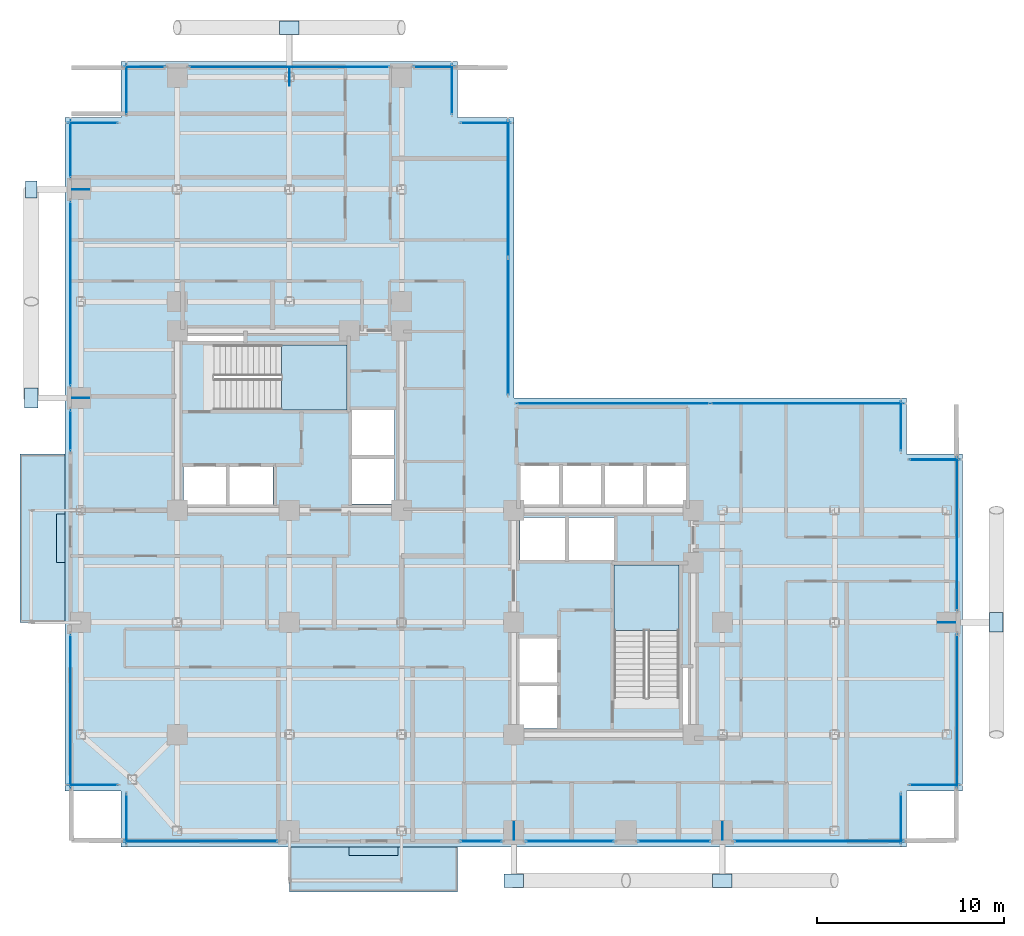
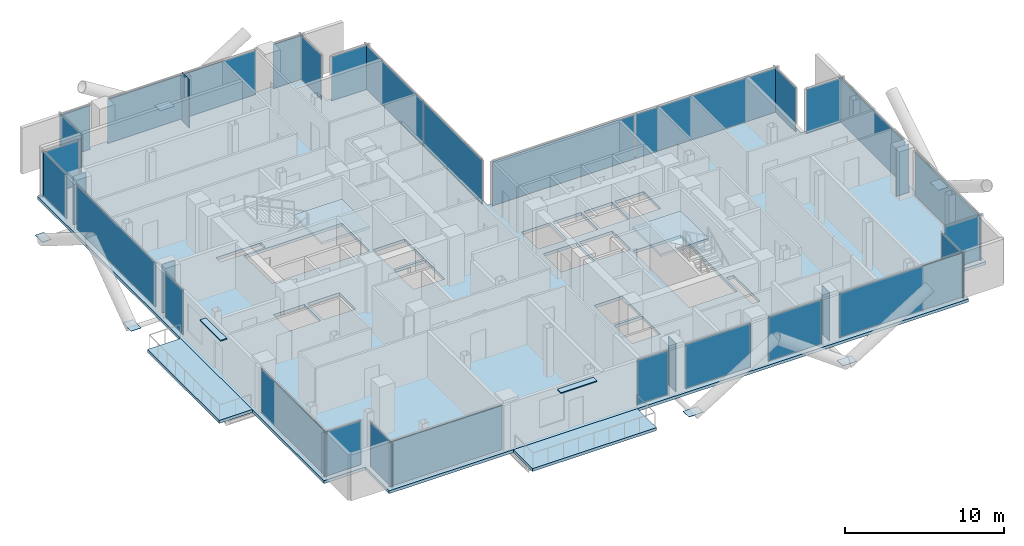
# One storey, part 17 of 24: 42 plates, 5 slabs, 28 elements without a shape of their own.
"""IFC4 building model written with IfcOpenShell, lengths in metres."""

from ifc_helpers import new_model, si_unit, direction, frame, origin, origin_2d, place, context, subcontext, project, spatial, polyline, rectangle, outline, extrude, material, layer, layer_set, type_object, element, aggregate, save


model = new_model("IFC4")

# Units and contexts
model_context = context("Model", 3, precision=1e-05, world=origin(), true_north=direction((0.0, 1.0)))
body_context = subcontext(model_context, "Body", "Model", "MODEL_VIEW")
ifc_project = project(units=[si_unit("LENGTHUNIT", "METRE"), si_unit("AREAUNIT", "SQUARE_METRE"), si_unit("VOLUMEUNIT", "CUBIC_METRE"), si_unit("PLANEANGLEUNIT", "RADIAN"), si_unit("MASSUNIT", "GRAM", prefix="KILO"), si_unit("THERMODYNAMICTEMPERATUREUNIT", "KELVIN"), si_unit("POWERUNIT", "WATT")], contexts=[model_context])

# Site, building, storey
site_placement = place(None, origin())
site = spatial("IfcSite", under=ifc_project, at=site_placement, CompositionType="ELEMENT")
building_placement = place(site_placement, origin())
building = spatial("IfcBuilding", under=site, at=building_placement, Name="Svarakhadi Broadcast Tower", CompositionType="ELEMENT")
storey_placement = place(building_placement, frame((0.0, 0.0, 130.64990234375)))
storey = spatial("IfcBuildingStorey", under=building, at=storey_placement, Name="L31", CompositionType="ELEMENT", Elevation=130.64990234375)

# Curtain wall, plate
ifc_material_1 = material(Name="Anodised Bronze Aluminium AA 6063-T6", Category="aluminium")
ifc_layer_1 = layer(ifc_material_1, 0.199951171875)
ifc_layer_set_1 = layer_set([ifc_layer_1], Name="Anodised Bronze Aluminium AA 6063-T6")
curtain_wall_type = type_object("IfcCurtainWallType", Name="CW_Sys_03", PredefinedType="NOTDEFINED", material=ifc_layer_set_1)
curtain_wall_1_placement = place(storey_placement, origin())
curtain_wall_1 = element("IfcCurtainWall", 1, at=curtain_wall_1_placement, inside=storey, type_object=curtain_wall_type, Name="L31 Unitised Facade Curtain Wall 01", PredefinedType="NOTDEFINED")
ifc_material_2 = material(Name="Double Low-E Laminated Acoustic Glass IGU 36 mm", Category="glass")
ifc_layer_2 = layer(ifc_material_2, 0.035888671875)
ifc_layer_set_2 = layer_set([ifc_layer_2], Name="Double Low-E Laminated Acoustic Glass IGU 36 mm")
plate_type_1 = type_object("IfcPlateType", Name="CW_Sys_03_Pnl", PredefinedType="CURTAIN_PANEL", material=ifc_layer_set_2)
plate_1_placement = place(storey_placement, frame((1.5, 3.300048828125, 0.0703125), z_axis=(0.0, 0.0, 1.0), x_axis=(-1.0, 0.0, 0.0)))
plate_1 = element("IfcPlate", 2, at=plate_1_placement, type_object=plate_type_1, Name="CW-03 panel 1.1", PredefinedType="CURTAIN_PANEL", context=body_context, shape_type="SweptSolid", body=[
    extrude(rectangle(XDim=2.669921875, YDim=0.035888671875, at=origin_2d()), origin(), (0.0, 0.0, 1.0), 3.385009765625),
])
aggregate(curtain_wall_1, [plate_1])

curtain_wall_2_placement = place(storey_placement, origin())
curtain_wall_2 = element("IfcCurtainWall", 3, at=curtain_wall_2_placement, inside=storey, type_object=curtain_wall_type, Name="L31 West Curtain Wall 02", PredefinedType="NOTDEFINED")
plate_2_placement = place(storey_placement, frame((0.300048828125, 7.260009765625, 0.0703125), z_axis=(0.0, 0.0, 1.0), x_axis=(0.0, 1.0, 0.0)))
plate_2 = element("IfcPlate", 4, at=plate_2_placement, type_object=plate_type_1, Name="CW-03 panel 1.1", PredefinedType="CURTAIN_PANEL", context=body_context, shape_type="SweptSolid", body=[
    extrude(rectangle(XDim=8.18994140625, YDim=0.035888671875, at=origin_2d()), origin(), (0.0, 0.0, 1.0), 3.385009765625),
])
aggregate(curtain_wall_2, [plate_2])

curtain_wall_3_placement = place(storey_placement, origin())
curtain_wall_3 = element("IfcCurtainWall", 5, at=curtain_wall_3_placement, inside=storey, type_object=curtain_wall_type, Name="L31 West Curtain Wall 03 Bay 1", PredefinedType="NOTDEFINED")
plate_3_placement = place(storey_placement, frame((0.300048828125, 22.260009765625, 0.0703125), z_axis=(0.0, 0.0, 1.0), x_axis=(0.0, 1.0, 0.0)))
plate_3 = element("IfcPlate", 6, at=plate_3_placement, type_object=plate_type_1, Name="CW-03 panel 1.1", PredefinedType="CURTAIN_PANEL", context=body_context, shape_type="SweptSolid", body=[
    extrude(rectangle(XDim=2.18994140625, YDim=0.035888671875, at=origin_2d()), origin(), (0.0, 0.0, 1.0), 3.385009765625),
])
aggregate(curtain_wall_3, [plate_3])

curtain_wall_4_placement = place(storey_placement, origin())
curtain_wall_4 = element("IfcCurtainWall", 7, at=curtain_wall_4_placement, inside=storey, type_object=curtain_wall_type, Name="L31 West Curtain Wall 03 Bay 2", PredefinedType="NOTDEFINED")
plate_4_placement = place(storey_placement, frame((0.300048828125, 29.574951171875, 0.0703125), z_axis=(0.0, 0.0, 1.0), x_axis=(0.0, 1.0, 0.0)))
plate_4 = element("IfcPlate", 8, at=plate_4_placement, type_object=plate_type_1, Name="CW-03 panel 1.1", PredefinedType="CURTAIN_PANEL", context=body_context, shape_type="SweptSolid", body=[
    extrude(rectangle(XDim=9.860107421875, YDim=0.035888671875, at=origin_2d()), origin(), (0.0, 0.0, 1.0), 3.385009765625),
])
aggregate(curtain_wall_4, [plate_4])

curtain_wall_5_placement = place(storey_placement, origin())
curtain_wall_5 = element("IfcCurtainWall", 9, at=curtain_wall_5_placement, inside=storey, type_object=curtain_wall_type, Name="L31 West Curtain Wall 03 Bay 3", PredefinedType="NOTDEFINED")
plate_5_placement = place(storey_placement, frame((0.300048828125, 37.31494140625, 0.0703125), z_axis=(0.0, 0.0, 1.0), x_axis=(0.0, 1.0, 0.0)))
plate_5 = element("IfcPlate", 10, at=plate_5_placement, type_object=plate_type_1, Name="CW-03 panel 1.1", PredefinedType="CURTAIN_PANEL", context=body_context, shape_type="SweptSolid", body=[
    extrude(rectangle(XDim=3.0400390625, YDim=0.035888671875, at=origin_2d()), origin(), (0.0, 0.0, 1.0), 3.385009765625),
])
aggregate(curtain_wall_5, [plate_5])

curtain_wall_6_placement = place(storey_placement, origin())
curtain_wall_6 = element("IfcCurtainWall", 11, at=curtain_wall_6_placement, inside=storey, type_object=curtain_wall_type, Name="L31 Unitised Facade Curtain Wall 04", PredefinedType="NOTDEFINED")
plate_6_placement = place(storey_placement, frame((1.5, 38.699951171875, 0.0703125), z_axis=(0.0, 0.0, 1.0), x_axis=(1.0, 0.0, 0.0)))
plate_6 = element("IfcPlate", 12, at=plate_6_placement, type_object=plate_type_1, Name="CW-03 panel 1.1", PredefinedType="CURTAIN_PANEL", context=body_context, shape_type="SweptSolid", body=[
    extrude(rectangle(XDim=2.669921875, YDim=0.035888671875, at=origin_2d()), origin(), (0.0, 0.0, 1.0), 3.385009765625),
])
aggregate(curtain_wall_6, [plate_6])

curtain_wall_7_placement = place(storey_placement, origin())
curtain_wall_7 = element("IfcCurtainWall", 13, at=curtain_wall_7_placement, inside=storey, type_object=curtain_wall_type, Name="L31 Unitised Facade Curtain Wall 05", PredefinedType="NOTDEFINED")
plate_7_placement = place(storey_placement, frame((3.300048828125, 40.5, 0.0703125), z_axis=(0.0, 0.0, 1.0), x_axis=(0.0, 1.0, 0.0)))
plate_7 = element("IfcPlate", 14, at=plate_7_placement, type_object=plate_type_1, Name="CW-03 panel 1.1", PredefinedType="CURTAIN_PANEL", context=body_context, shape_type="SweptSolid", body=[
    extrude(rectangle(XDim=2.669921875, YDim=0.035888671875, at=origin_2d()), origin(), (0.0, 0.0, 1.0), 3.385009765625),
])
aggregate(curtain_wall_7, [plate_7])

curtain_wall_8_placement = place(storey_placement, origin())
curtain_wall_8 = element("IfcCurtainWall", 15, at=curtain_wall_8_placement, inside=storey, type_object=curtain_wall_type, Name="L31 Unitised Facade Curtain Wall 06 Bay 1", PredefinedType="NOTDEFINED")
plate_8_placement = place(storey_placement, frame((4.260009765625, 41.699951171875, 0.0703125), z_axis=(0.0, 0.0, 1.0), x_axis=(1.0, 0.0, 0.0)))
plate_8 = element("IfcPlate", 16, at=plate_8_placement, type_object=plate_type_1, Name="CW-03 panel 1.1", PredefinedType="CURTAIN_PANEL", context=body_context, shape_type="SweptSolid", body=[
    extrude(rectangle(XDim=2.18994140625, YDim=0.035888671875, at=origin_2d()), origin(), (0.0, 0.0, 1.0), 3.385009765625),
])
aggregate(curtain_wall_8, [plate_8])

curtain_wall_9_placement = place(storey_placement, origin())
curtain_wall_9 = element("IfcCurtainWall", 17, at=curtain_wall_9_placement, inside=storey, type_object=curtain_wall_type, Name="L31 Unitised Facade Curtain Wall 06 Bay 2", PredefinedType="NOTDEFINED")
plate_9_placement = place(storey_placement, frame((12.0, 41.699951171875, 0.0703125), z_axis=(0.0, 0.0, 1.0), x_axis=(1.0, 0.0, 0.0)))
plate_9 = element("IfcPlate", 18, at=plate_9_placement, type_object=plate_type_1, Name="CW-03 panel 1.1", PredefinedType="CURTAIN_PANEL", context=body_context, shape_type="SweptSolid", body=[
    extrude(rectangle(XDim=10.7099609375, YDim=0.035888671875, at=origin_2d()), origin(), (0.0, 0.0, 1.0), 3.385009765625),
])
aggregate(curtain_wall_9, [plate_9])

curtain_wall_10_placement = place(storey_placement, origin())
curtain_wall_10 = element("IfcCurtainWall", 19, at=curtain_wall_10_placement, inside=storey, type_object=curtain_wall_type, Name="L31 Unitised Facade Curtain Wall 06 Bay 3", PredefinedType="NOTDEFINED")
plate_10_placement = place(storey_placement, frame((19.739990234375, 41.699951171875, 0.0703125), z_axis=(0.0, 0.0, 1.0), x_axis=(1.0, 0.0, 0.0)))
plate_10 = element("IfcPlate", 20, at=plate_10_placement, type_object=plate_type_1, Name="CW-03 panel 1.1", PredefinedType="CURTAIN_PANEL", context=body_context, shape_type="SweptSolid", body=[
    extrude(rectangle(XDim=2.18994140625, YDim=0.035888671875, at=origin_2d()), origin(), (0.0, 0.0, 1.0), 3.385009765625),
])
aggregate(curtain_wall_10, [plate_10])

curtain_wall_11_placement = place(storey_placement, origin())
curtain_wall_11 = element("IfcCurtainWall", 21, at=curtain_wall_11_placement, inside=storey, type_object=curtain_wall_type, Name="L31 Unitised Facade Curtain Wall 07", PredefinedType="NOTDEFINED")
plate_11_placement = place(storey_placement, frame((20.699951171875, 40.5, 0.0703125), z_axis=(0.0, 0.0, 1.0), x_axis=(0.0, -1.0, 0.0)))
plate_11 = element("IfcPlate", 22, at=plate_11_placement, type_object=plate_type_1, Name="CW-03 panel 1.1", PredefinedType="CURTAIN_PANEL", context=body_context, shape_type="SweptSolid", body=[
    extrude(rectangle(XDim=2.669921875, YDim=0.035888671875, at=origin_2d()), origin(), (0.0, 0.0, 1.0), 3.385009765625),
])
aggregate(curtain_wall_11, [plate_11])

curtain_wall_12_placement = place(storey_placement, origin())
curtain_wall_12 = element("IfcCurtainWall", 23, at=curtain_wall_12_placement, inside=storey, type_object=curtain_wall_type, Name="L31 Unitised Facade Curtain Wall 08", PredefinedType="NOTDEFINED")
plate_12_placement = place(storey_placement, frame((22.5, 38.699951171875, 0.0703125), z_axis=(0.0, 0.0, 1.0), x_axis=(1.0, 0.0, 0.0)))
plate_12 = element("IfcPlate", 24, at=plate_12_placement, type_object=plate_type_1, Name="CW-03 panel 1.1", PredefinedType="CURTAIN_PANEL", context=body_context, shape_type="SweptSolid", body=[
    extrude(rectangle(XDim=2.669921875, YDim=0.035888671875, at=origin_2d()), origin(), (0.0, 0.0, 1.0), 3.385009765625),
])
aggregate(curtain_wall_12, [plate_12])

# Curtain wall, plates
curtain_wall_13_placement = place(storey_placement, origin())
curtain_wall_13 = element("IfcCurtainWall", 25, at=curtain_wall_13_placement, inside=storey, type_object=curtain_wall_type, Name="L31 Unitised Facade Curtain Wall 09", PredefinedType="NOTDEFINED")
plate_13_placement = place(storey_placement, frame((23.699951171875, 35.186279296875, 0.0703125), z_axis=(0.0, 0.0, 1.0), x_axis=(0.0, -1.0, 0.0)))
plate_13 = element("IfcPlate", 26, at=plate_13_placement, type_object=plate_type_1, Name="CW-03 panel 1.1", PredefinedType="CURTAIN_PANEL", context=body_context, shape_type="SweptSolid", body=[
    extrude(rectangle(XDim=7.297607421875, YDim=0.035888671875, at=origin_2d()), origin(), (0.0, 0.0, 1.0), 3.385009765625),
])
plate_14_placement = place(storey_placement, frame((23.699951171875, 27.813720703125, 0.0703125), z_axis=(0.0, 0.0, 1.0), x_axis=(0.0, -1.0, 0.0)))
plate_14 = element("IfcPlate", 27, at=plate_14_placement, type_object=plate_type_1, Name="CW-03 panel 2.1", PredefinedType="CURTAIN_PANEL", context=body_context, shape_type="SweptSolid", body=[
    extrude(rectangle(XDim=7.297607421875, YDim=0.035888671875, at=origin_2d()), origin(), (0.0, 0.0, 1.0), 3.385009765625),
])
aggregate(curtain_wall_13, [plate_13, plate_14])

curtain_wall_14_placement = place(storey_placement, origin())
curtain_wall_14 = element("IfcCurtainWall", 28, at=curtain_wall_14_placement, inside=storey, type_object=curtain_wall_type, Name="L31 Unitised Facade Curtain Wall 10", PredefinedType="NOTDEFINED")
plate_15_placement = place(storey_placement, frame((29.313720703125, 23.699951171875, 0.0703125), z_axis=(0.0, 0.0, 1.0), x_axis=(1.0, 0.0, 0.0)))
plate_15 = element("IfcPlate", 29, at=plate_15_placement, type_object=plate_type_1, Name="CW-03 panel 1.1", PredefinedType="CURTAIN_PANEL", context=body_context, shape_type="SweptSolid", body=[
    extrude(rectangle(XDim=10.297607421875, YDim=0.035888671875, at=origin_2d()), origin(), (0.0, 0.0, 1.0), 3.385009765625),
])
plate_16_placement = place(storey_placement, frame((39.686279296875, 23.699951171875, 0.0703125), z_axis=(0.0, 0.0, 1.0), x_axis=(1.0, 0.0, 0.0)))
plate_16 = element("IfcPlate", 30, at=plate_16_placement, type_object=plate_type_1, Name="CW-03 panel 2.1", PredefinedType="CURTAIN_PANEL", context=body_context, shape_type="SweptSolid", body=[
    extrude(rectangle(XDim=10.297607421875, YDim=0.035888671875, at=origin_2d()), origin(), (0.0, 0.0, 1.0), 3.385009765625),
])
aggregate(curtain_wall_14, [plate_15, plate_16])

# Curtain wall, plate
curtain_wall_15_placement = place(storey_placement, origin())
curtain_wall_15 = element("IfcCurtainWall", 31, at=curtain_wall_15_placement, inside=storey, type_object=curtain_wall_type, Name="L31 Unitised Facade Curtain Wall 11", PredefinedType="NOTDEFINED")
plate_17_placement = place(storey_placement, frame((44.699951171875, 22.5, 0.0703125), z_axis=(0.0, 0.0, 1.0), x_axis=(0.0, -1.0, 0.0)))
plate_17 = element("IfcPlate", 32, at=plate_17_placement, type_object=plate_type_1, Name="CW-03 panel 1.1", PredefinedType="CURTAIN_PANEL", context=body_context, shape_type="SweptSolid", body=[
    extrude(rectangle(XDim=2.669921875, YDim=0.035888671875, at=origin_2d()), origin(), (0.0, 0.0, 1.0), 3.385009765625),
])
aggregate(curtain_wall_15, [plate_17])

curtain_wall_16_placement = place(storey_placement, origin())
curtain_wall_16 = element("IfcCurtainWall", 33, at=curtain_wall_16_placement, inside=storey, type_object=curtain_wall_type, Name="L31 Unitised Facade Curtain Wall 12", PredefinedType="NOTDEFINED")
plate_18_placement = place(storey_placement, frame((46.5, 20.699951171875, 0.0703125), z_axis=(0.0, 0.0, 1.0), x_axis=(1.0, 0.0, 0.0)))
plate_18 = element("IfcPlate", 34, at=plate_18_placement, type_object=plate_type_1, Name="CW-03 panel 1.1", PredefinedType="CURTAIN_PANEL", context=body_context, shape_type="SweptSolid", body=[
    extrude(rectangle(XDim=2.669921875, YDim=0.035888671875, at=origin_2d()), origin(), (0.0, 0.0, 1.0), 3.385009765625),
])
aggregate(curtain_wall_16, [plate_18])

curtain_wall_17_placement = place(storey_placement, origin())
curtain_wall_17 = element("IfcCurtainWall", 35, at=curtain_wall_17_placement, inside=storey, type_object=curtain_wall_type, Name="L31 Unitised Facade Curtain Wall 13 Bay 1", PredefinedType="NOTDEFINED")
plate_19_placement = place(storey_placement, frame((47.699951171875, 16.739990234375, 0.0703125), z_axis=(0.0, 0.0, 1.0), x_axis=(0.0, -1.0, 0.0)))
plate_19 = element("IfcPlate", 36, at=plate_19_placement, type_object=plate_type_1, Name="CW-03 panel 1.1", PredefinedType="CURTAIN_PANEL", context=body_context, shape_type="SweptSolid", body=[
    extrude(rectangle(XDim=8.18994140625, YDim=0.035888671875, at=origin_2d()), origin(), (0.0, 0.0, 1.0), 3.385009765625),
])
aggregate(curtain_wall_17, [plate_19])

curtain_wall_18_placement = place(storey_placement, origin())
curtain_wall_18 = element("IfcCurtainWall", 37, at=curtain_wall_18_placement, inside=storey, type_object=curtain_wall_type, Name="L31 Unitised Facade Curtain Wall 13 Bay 2", PredefinedType="NOTDEFINED")
plate_20_placement = place(storey_placement, frame((47.699951171875, 7.260009765625, 0.0703125), z_axis=(0.0, 0.0, 1.0), x_axis=(0.0, -1.0, 0.0)))
plate_20 = element("IfcPlate", 38, at=plate_20_placement, type_object=plate_type_1, Name="CW-03 panel 1.1", PredefinedType="CURTAIN_PANEL", context=body_context, shape_type="SweptSolid", body=[
    extrude(rectangle(XDim=8.18994140625, YDim=0.035888671875, at=origin_2d()), origin(), (0.0, 0.0, 1.0), 3.385009765625),
])
aggregate(curtain_wall_18, [plate_20])

curtain_wall_19_placement = place(storey_placement, origin())
curtain_wall_19 = element("IfcCurtainWall", 39, at=curtain_wall_19_placement, inside=storey, type_object=curtain_wall_type, Name="L31 Unitised Facade Curtain Wall 14", PredefinedType="NOTDEFINED")
plate_21_placement = place(storey_placement, frame((46.5, 3.300048828125, 0.0703125), z_axis=(0.0, 0.0, 1.0), x_axis=(-1.0, 0.0, 0.0)))
plate_21 = element("IfcPlate", 40, at=plate_21_placement, type_object=plate_type_1, Name="CW-03 panel 1.1", PredefinedType="CURTAIN_PANEL", context=body_context, shape_type="SweptSolid", body=[
    extrude(rectangle(XDim=2.669921875, YDim=0.035888671875, at=origin_2d()), origin(), (0.0, 0.0, 1.0), 3.385009765625),
])
aggregate(curtain_wall_19, [plate_21])

curtain_wall_20_placement = place(storey_placement, origin())
curtain_wall_20 = element("IfcCurtainWall", 41, at=curtain_wall_20_placement, inside=storey, type_object=curtain_wall_type, Name="L31 Unitised Facade Curtain Wall 15", PredefinedType="NOTDEFINED")
plate_22_placement = place(storey_placement, frame((44.699951171875, 1.5, 0.0703125), z_axis=(0.0, 0.0, 1.0), x_axis=(0.0, -1.0, 0.0)))
plate_22 = element("IfcPlate", 42, at=plate_22_placement, type_object=plate_type_1, Name="CW-03 panel 1.1", PredefinedType="CURTAIN_PANEL", context=body_context, shape_type="SweptSolid", body=[
    extrude(rectangle(XDim=2.669921875, YDim=0.035888671875, at=origin_2d()), origin(), (0.0, 0.0, 1.0), 3.385009765625),
])
aggregate(curtain_wall_20, [plate_22])

curtain_wall_21_placement = place(storey_placement, origin())
curtain_wall_21 = element("IfcCurtainWall", 43, at=curtain_wall_21_placement, inside=storey, type_object=curtain_wall_type, Name="L31 South Curtain Wall 16 Bay 1", PredefinedType="NOTDEFINED")
plate_23_placement = place(storey_placement, frame((40.31494140625, 0.300048828125, 0.0703125), z_axis=(0.0, 0.0, 1.0), x_axis=(-1.0, 0.0, 0.0)))
plate_23 = element("IfcPlate", 44, at=plate_23_placement, type_object=plate_type_1, Name="CW-03 panel 1.1", PredefinedType="CURTAIN_PANEL", context=body_context, shape_type="SweptSolid", body=[
    extrude(rectangle(XDim=9.0400390625, YDim=0.035888671875, at=origin_2d()), origin(), (0.0, 0.0, 1.0), 3.385009765625),
])
aggregate(curtain_wall_21, [plate_23])

curtain_wall_22_placement = place(storey_placement, origin())
curtain_wall_22 = element("IfcCurtainWall", 45, at=curtain_wall_22_placement, inside=storey, type_object=curtain_wall_type, Name="L31 South Curtain Wall 16 Bay 2", PredefinedType="NOTDEFINED")
plate_24_placement = place(storey_placement, frame((32.574951171875, 0.300048828125, 0.0703125), z_axis=(0.0, 0.0, 1.0), x_axis=(-1.0, 0.0, 0.0)))
plate_24 = element("IfcPlate", 46, at=plate_24_placement, type_object=plate_type_1, Name="CW-03 panel 1.1", PredefinedType="CURTAIN_PANEL", context=body_context, shape_type="SweptSolid", body=[
    extrude(rectangle(XDim=3.860107421875, YDim=0.035888671875, at=origin_2d()), origin(), (0.0, 0.0, 1.0), 3.385009765625),
])
aggregate(curtain_wall_22, [plate_24])

curtain_wall_23_placement = place(storey_placement, origin())
curtain_wall_23 = element("IfcCurtainWall", 47, at=curtain_wall_23_placement, inside=storey, type_object=curtain_wall_type, Name="L31 South Curtain Wall 16 Bay 3", PredefinedType="NOTDEFINED")
plate_25_placement = place(storey_placement, frame((27.0, 0.300048828125, 0.0703125), z_axis=(0.0, 0.0, 1.0), x_axis=(-1.0, 0.0, 0.0)))
plate_25 = element("IfcPlate", 48, at=plate_25_placement, type_object=plate_type_1, Name="CW-03 panel 1.1", PredefinedType="CURTAIN_PANEL", context=body_context, shape_type="SweptSolid", body=[
    extrude(rectangle(XDim=4.7099609375, YDim=0.035888671875, at=origin_2d()), origin(), (0.0, 0.0, 1.0), 3.385009765625),
])
aggregate(curtain_wall_23, [plate_25])

curtain_wall_24_placement = place(storey_placement, origin())
curtain_wall_24 = element("IfcCurtainWall", 49, at=curtain_wall_24_placement, inside=storey, type_object=curtain_wall_type, Name="L31 South Curtain Wall 16 Bay 4", PredefinedType="NOTDEFINED")
plate_26_placement = place(storey_placement, frame((22.260009765625, 0.300048828125, 0.0703125), z_axis=(0.0, 0.0, 1.0), x_axis=(-1.0, 0.0, 0.0)))
plate_26 = element("IfcPlate", 50, at=plate_26_placement, type_object=plate_type_1, Name="CW-03 panel 1.1", PredefinedType="CURTAIN_PANEL", context=body_context, shape_type="SweptSolid", body=[
    extrude(rectangle(XDim=2.18994140625, YDim=0.035888671875, at=origin_2d()), origin(), (0.0, 0.0, 1.0), 3.385009765625),
])
aggregate(curtain_wall_24, [plate_26])

curtain_wall_25_placement = place(storey_placement, origin())
curtain_wall_25 = element("IfcCurtainWall", 51, at=curtain_wall_25_placement, inside=storey, type_object=curtain_wall_type, Name="L31 South Curtain Wall 17", PredefinedType="NOTDEFINED")
plate_27_placement = place(storey_placement, frame((7.260009765625, 0.300048828125, 0.0703125), z_axis=(0.0, 0.0, 1.0), x_axis=(-1.0, 0.0, 0.0)))
plate_27 = element("IfcPlate", 52, at=plate_27_placement, type_object=plate_type_1, Name="CW-03 panel 1.1", PredefinedType="CURTAIN_PANEL", context=body_context, shape_type="SweptSolid", body=[
    extrude(rectangle(XDim=8.18994140625, YDim=0.035888671875, at=origin_2d()), origin(), (0.0, 0.0, 1.0), 3.385009765625),
])
aggregate(curtain_wall_25, [plate_27])

curtain_wall_26_placement = place(storey_placement, origin())
curtain_wall_26 = element("IfcCurtainWall", 53, at=curtain_wall_26_placement, inside=storey, type_object=curtain_wall_type, Name="L31 Unitised Facade Curtain Wall 18", PredefinedType="NOTDEFINED")
plate_28_placement = place(storey_placement, frame((3.300048828125, 1.5, 0.0703125), z_axis=(0.0, 0.0, 1.0), x_axis=(0.0, 1.0, 0.0)))
plate_28 = element("IfcPlate", 54, at=plate_28_placement, type_object=plate_type_1, Name="CW-03 panel 1.1", PredefinedType="CURTAIN_PANEL", context=body_context, shape_type="SweptSolid", body=[
    extrude(rectangle(XDim=2.669921875, YDim=0.035888671875, at=origin_2d()), origin(), (0.0, 0.0, 1.0), 3.385009765625),
])
aggregate(curtain_wall_26, [plate_28])

# Plates
ifc_material_3 = material(Name="Steel S460ML (IS 2062 E450BR)", Category="steel")
ifc_layer_3 = layer(ifc_material_3, 0.031982421875)
ifc_layer_set_3 = layer_set([ifc_layer_3], Name="Steel S460ML (IS 2062 E450BR)")
plate_type_2 = type_object("IfcPlateType", Name="Node_Gusset_N02", PredefinedType="SHEET", material=ifc_layer_set_3)
for number, where, z_axis, x_axis, name in (
    (55, (24.0, -1.800048828125, -0.22509765625), (0.0, 0.0, 1.0), (1.0, 0.0, 0.0), "L31 Exoskeleton Gusset Node Plate S01"),
    (56, (35.14990234375, -1.800048828125, -0.22509765625), (0.0, 0.0, 1.0), (1.0, 0.0, 0.0), "L31 Exoskeleton Gusset Node Plate S02"),
    (57, (-1.800048828125, 24.0, -0.22509765625), (0.0, 0.0, 1.0), (0.0, 1.0, 0.0), "L31 Exoskeleton Gusset Node Plate W03"),
    (58, (49.800048828125, 12.0, -0.22509765625), (0.0, 0.0, 1.0), (0.0, 1.0, 0.0), "L31 Exoskeleton Gusset Node Plate E05"),
    (59, (12.0, 43.800048828125, -0.22509765625), (0.0, 0.0, 1.0), (1.0, 0.0, 0.0), "L31 Exoskeleton Gusset Node Plate N06"),
):
    element("IfcPlate", number, at=place(storey_placement, frame(where, z_axis=z_axis, x_axis=x_axis)), inside=storey, type_object=plate_type_2, Name=name, PredefinedType="SHEET", context=body_context, shape_type="SweptSolid", body=[
        extrude(rectangle(XDim=1.050048828125, YDim=0.719970703125, at=origin_2d()), origin(), (0.0, 0.0, 1.0), 0.031982421875),
    ])
ifc_layer_4 = layer(ifc_material_3, 0.02587890625)
ifc_layer_set_4 = layer_set([ifc_layer_4], Name="Steel S460ML (IS 2062 E450BR)")
plate_type_3 = type_object("IfcPlateType", Name="Node_Gusset_N07", PredefinedType="SHEET", material=ifc_layer_set_4)
plate_29_placement = place(storey_placement, frame((-1.800048828125, 35.14990234375, -0.224853515625), z_axis=(0.0, 0.0, 1.0), x_axis=(0.0, 1.0, 0.0)))
element("IfcPlate", 60, at=plate_29_placement, inside=storey, type_object=plate_type_3, Name="L31 Exoskeleton Gusset Node Plate W04", PredefinedType="SHEET", context=body_context, shape_type="SweptSolid", body=[
    extrude(rectangle(XDim=0.919921875, YDim=0.6201171875, at=origin_2d()), origin(), (0.0, 0.0, 1.0), 0.02587890625),
])
for number, where, z_axis, x_axis, name in (
    (61, (24.0, 0.85009765625, -0.5869140625), (0.0, 0.0, 1.0), (0.0, 1.0, 0.0), "L31 Brace End Connection Gusset Plate N-07-E0253"),
    (62, (35.14990234375, 0.85009765625, -0.5869140625), (0.0, 0.0, 1.0), (0.0, 1.0, 0.0), "L31 Brace End Connection Gusset Plate N-07-E0254"),
    (63, (0.85009765625, 24.0, -0.5869140625), (0.0, 0.0, 1.0), (1.0, 0.0, 0.0), "L31 Brace End Connection Gusset Plate N-07-E0255"),
    (64, (0.85009765625, 35.14990234375, -0.5869140625), (0.0, 0.0, 1.0), (1.0, 0.0, 0.0), "L31 Brace End Connection Gusset Plate N-07-E0256"),
    (65, (47.14990234375, 12.0, -0.5869140625), (0.0, 0.0, 1.0), (1.0, 0.0, 0.0), "L31 Brace End Connection Gusset Plate N-07-E0257"),
    (66, (12.0, 41.14990234375, -0.5869140625), (0.0, 0.0, 1.0), (0.0, 1.0, 0.0), "L31 Brace End Connection Gusset Plate N-07-E0258"),
):
    element("IfcPlate", number, at=place(storey_placement, frame(where, z_axis=z_axis, x_axis=x_axis)), inside=storey, type_object=plate_type_3, Name=name, PredefinedType="SHEET", context=body_context, shape_type="SweptSolid", body=[
        extrude(rectangle(XDim=0.919921875, YDim=0.02587890625, at=origin_2d()), origin(), (0.0, 0.0, 1.0), 4.300048828125),
    ])

# Slab
ifc_material_4 = material(Name="Concrete C40/50 (IS 456 M50)", Category="concrete")
ifc_layer_5 = layer(ifc_material_4, 0.22509765625)
ifc_layer_set_5 = layer_set([ifc_layer_5], Name="Concrete C40/50 (IS 456 M50)")
slab_type_1 = type_object("IfcSlabType", Name="Slab_Floor_225", PredefinedType="FLOOR", material=ifc_layer_set_5)
slab_1_placement = place(storey_placement, frame((0.0, 0.0, -0.224853515625)))
element("IfcSlab", 67, at=slab_1_placement, inside=storey, type_object=slab_type_1, Name="L31 Structural Floor Slab", PredefinedType="FLOOR", context=body_context, shape_type="SweptSolid", body=[
    extrude(outline(polyline([(3.0, 0.0), (45.0, 0.0), (45.0, 3.0), (48.0, 3.0), (48.0, 21.0), (45.0, 21.0), (45.0, 24.0), (24.0, 24.0), (24.0, 39.0), (21.0, 39.0), (21.0, 42.0), (3.0, 42.0), (3.0, 39.0), (0.0, 39.0), (0.0, 3.0), (3.0, 3.0), (3.0, 0.0)]), holes=[polyline([(7.97998046875, 23.360107421875), (15.080078125, 23.360107421875), (15.080078125, 26.840087890625), (7.97998046875, 26.840087890625), (7.97998046875, 23.360107421875)]), polyline([(32.840087890625, 7.97998046875), (32.840087890625, 15.080078125), (29.360107421875, 15.080078125), (29.360107421875, 7.97998046875), (32.840087890625, 7.97998046875)]), polyline([(6.340087890625, 18.2900390625), (8.610107421875, 18.2900390625), (8.610107421875, 20.330078125), (6.340087890625, 20.330078125), (6.340087890625, 18.2900390625)]), polyline([(8.7900390625, 18.2900390625), (11.1298828125, 18.2900390625), (11.1298828125, 20.330078125), (8.7900390625, 20.330078125), (8.7900390625, 18.2900390625)]), polyline([(24.2900390625, 6.340087890625), (26.330078125, 6.340087890625), (26.330078125, 8.610107421875), (24.2900390625, 8.610107421875), (24.2900390625, 6.340087890625)]), polyline([(24.2900390625, 8.7900390625), (26.330078125, 8.7900390625), (26.330078125, 11.1298828125), (24.2900390625, 11.1298828125), (24.2900390625, 8.7900390625)]), polyline([(6.340087890625, 26.989990234375), (9.610107421875, 26.989990234375), (9.610107421875, 27.530029296875), (6.340087890625, 27.530029296875), (6.340087890625, 26.989990234375)]), polyline([(32.989990234375, 6.340087890625), (33.530029296875, 6.340087890625), (33.530029296875, 9.610107421875), (32.989990234375, 9.610107421875), (32.989990234375, 6.340087890625)]), polyline([(15.340087890625, 18.340087890625), (17.610107421875, 18.340087890625), (17.610107421875, 20.760009765625), (15.340087890625, 20.760009765625), (15.340087890625, 18.340087890625)]), polyline([(15.340087890625, 20.93994140625), (17.610107421875, 20.93994140625), (17.610107421875, 23.360107421875), (15.340087890625, 23.360107421875), (15.340087890625, 20.93994140625)]), polyline([(24.340087890625, 15.340087890625), (26.760009765625, 15.340087890625), (26.760009765625, 17.610107421875), (24.340087890625, 17.610107421875), (24.340087890625, 15.340087890625)]), polyline([(26.93994140625, 15.340087890625), (29.360107421875, 15.340087890625), (29.360107421875, 17.610107421875), (26.93994140625, 17.610107421875), (26.93994140625, 15.340087890625)]), polyline([(24.340087890625, 18.239990234375), (26.429931640625, 18.239990234375), (26.429931640625, 20.360107421875), (24.340087890625, 20.360107421875), (24.340087890625, 18.239990234375)]), polyline([(26.610107421875, 18.239990234375), (28.679931640625, 18.239990234375), (28.679931640625, 20.360107421875), (26.610107421875, 20.360107421875), (26.610107421875, 18.239990234375)]), polyline([(28.860107421875, 18.239990234375), (30.929931640625, 18.239990234375), (30.929931640625, 20.360107421875), (28.860107421875, 20.360107421875), (28.860107421875, 18.239990234375)]), polyline([(31.110107421875, 18.239990234375), (33.2099609375, 18.239990234375), (33.2099609375, 20.360107421875), (31.110107421875, 20.360107421875), (31.110107421875, 18.239990234375)])]), origin(), (0.0, 0.0, 1.0), 0.224853515625),
])

# Stair, slab
stair_type = type_object("IfcStairType", Name="Stair_Exit_Core", PredefinedType="HALF_TURN_STAIR", material=ifc_material_4)
stair_1_placement = place(storey_placement, origin())
stair_1 = element("IfcStair", 68, at=stair_1_placement, inside=storey, type_object=stair_type, Name="L31 West Core Protected Exit Stair ST-01", PredefinedType="HALF_TURN_STAIR")
ifc_layer_6 = layer(ifc_material_4, 0.199951171875)
ifc_layer_set_6 = layer_set([ifc_layer_6], Name="Concrete C40/50 (IS 456 M50)")
slab_type_2 = type_object("IfcSlabType", Name="Slab_Stair_Land", PredefinedType="LANDING", material=ifc_layer_set_6)
slab_2_placement = place(storey_placement, frame((0.0, 0.0, 1.675048828125)))
slab_2 = element("IfcSlab", 69, at=slab_2_placement, type_object=slab_type_2, Name="ST-01 landing 1", PredefinedType="LANDING", context=body_context, shape_type="SweptSolid", body=[
    extrude(outline(polyline([(11.580078125, 23.360107421875), (15.080078125, 23.360107421875), (15.080078125, 26.840087890625), (11.580078125, 26.840087890625), (11.580078125, 23.360107421875)])), origin(), (0.0, 0.0, 1.0), 0.199951171875),
])
aggregate(stair_1, [slab_2])

stair_2_placement = place(storey_placement, origin())
stair_2 = element("IfcStair", 70, at=stair_2_placement, inside=storey, type_object=stair_type, Name="L31 East Core Protected Exit Stair ST-02", PredefinedType="HALF_TURN_STAIR")
slab_3_placement = place(storey_placement, frame((0.0, 0.0, 1.675048828125)))
slab_3 = element("IfcSlab", 71, at=slab_3_placement, type_object=slab_type_2, Name="ST-02 landing 1", PredefinedType="LANDING", context=body_context, shape_type="SweptSolid", body=[
    extrude(outline(polyline([(32.840087890625, 11.580078125), (32.840087890625, 15.080078125), (29.360107421875, 15.080078125), (29.360107421875, 11.580078125), (32.840087890625, 11.580078125)])), origin(), (0.0, 0.0, 1.0), 0.199951171875),
])
aggregate(stair_2, [slab_3])

# Slabs
ifc_layer_7 = layer(ifc_material_4, 0.22509765625)
ifc_layer_set_7 = layer_set([ifc_layer_7], Name="Concrete C40/50 (IS 456 M50)")
slab_type_3 = type_object("IfcSlabType", Name="Slab_TreeBalcony", PredefinedType="FLOOR", material=ifc_layer_set_7)
slab_4_placement = place(storey_placement, frame((0.0, 0.0, -0.224853515625)))
element("IfcSlab", 72, at=slab_4_placement, inside=storey, type_object=slab_type_3, Name="L31 Planted Tree Balcony Slab BAL-S", PredefinedType="FLOOR", context=body_context, shape_type="SweptSolid", body=[
    extrude(outline(polyline([(12.0, -2.39990234375), (21.0, -2.39990234375), (21.0, 0.0), (12.0, 0.0), (12.0, -2.39990234375)])), origin(), (0.0, 0.0, 1.0), 0.224853515625),
])
slab_5_placement = place(storey_placement, frame((0.0, 0.0, -0.224853515625)))
element("IfcSlab", 73, at=slab_5_placement, inside=storey, type_object=slab_type_3, Name="L31 Planted Tree Balcony Slab BAL-W", PredefinedType="FLOOR", context=body_context, shape_type="SweptSolid", body=[
    extrude(outline(polyline([(-2.39990234375, 12.0), (0.0, 12.0), (0.0, 21.0), (-2.39990234375, 21.0), (-2.39990234375, 12.0)])), origin(), (0.0, 0.0, 1.0), 0.224853515625),
])

# Plates
ifc_layer_8 = layer(ifc_material_1, 0.080078125)
ifc_layer_set_8 = layer_set([ifc_layer_8], Name="Anodised Bronze Aluminium AA 6063-T6")
plate_type_4 = type_object("IfcPlateType", Name="Sunshade_Fin_SS01", PredefinedType="USERDEFINED", material=ifc_layer_set_8)
for number, where, z_axis, x_axis, name in (
    (74, (16.5, -0.22509765625, 3.445068359375), (0.0, 0.0, 1.0), (1.0, 0.0, 0.0), "L31 South Bronze Brise-Soleil Sunshade SS-01"),
    (75, (-0.22509765625, 16.5, 3.445068359375), (0.0, 0.0, 1.0), (0.0, 1.0, 0.0), "L31 West Bronze Brise-Soleil Sunshade SS-01"),
):
    element("IfcPlate", number, at=place(storey_placement, frame(where, z_axis=z_axis, x_axis=x_axis)), inside=storey, type_object=plate_type_4, Name=name, ObjectType="SUNSHADE", PredefinedType="USERDEFINED", context=body_context, shape_type="SweptSolid", body=[
        extrude(rectangle(XDim=2.60009765625, YDim=0.449951171875, at=origin_2d()), origin(), (0.0, 0.0, 1.0), 0.080078125),
    ])

save(model, "model.ifc")
